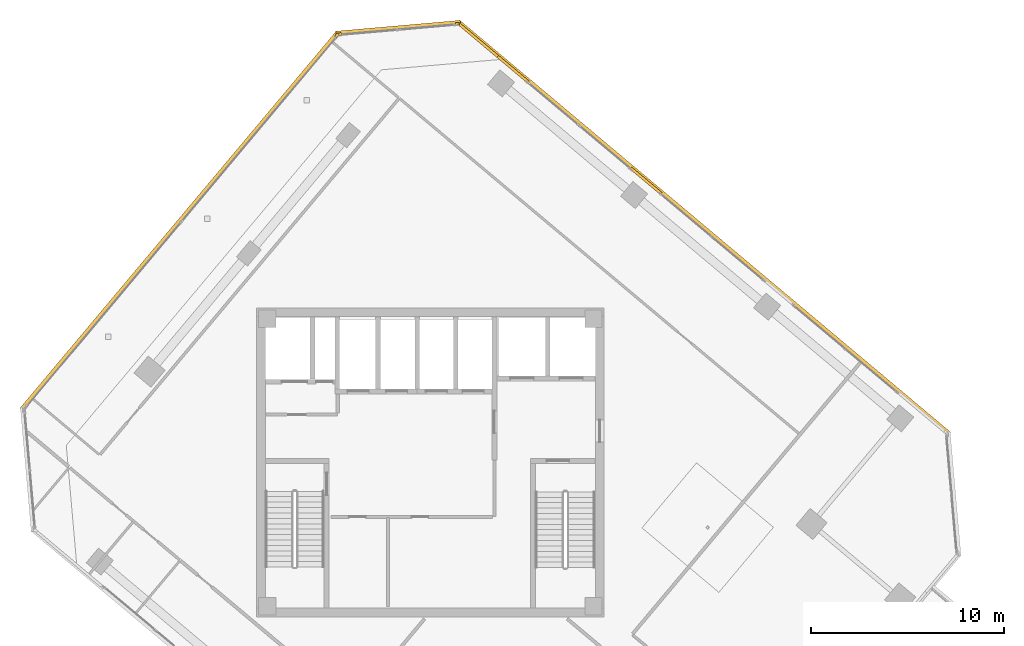
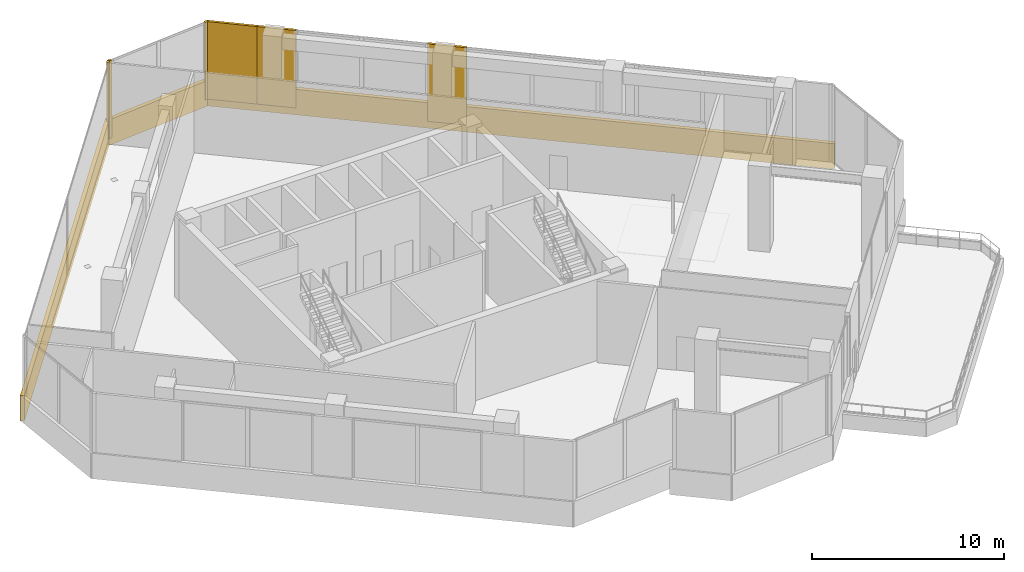
# One storey, part 17 of 17: 9 coverings.
"""IFC4 building model written with IfcOpenShell, lengths in metres."""

from ifc_helpers import new_model, si_unit, direction, frame, origin, origin_2d, place, context, subcontext, project, spatial, rectangle, extrude, source, transform, mapped, material, layer, layer_set, type_object, element, save


model = new_model("IFC4")

# Units and contexts
model_context = context("Model", 3, precision=1e-05, world=origin(), true_north=direction((0.0, 1.0)))
body_context = subcontext(model_context, "Body", "Model", "MODEL_VIEW")
ifc_project = project(units=[si_unit("LENGTHUNIT", "METRE"), si_unit("AREAUNIT", "SQUARE_METRE"), si_unit("VOLUMEUNIT", "CUBIC_METRE"), si_unit("PLANEANGLEUNIT", "RADIAN"), si_unit("MASSUNIT", "GRAM", prefix="KILO")], contexts=[model_context])

# Site, building, storey
site_placement = place(None, origin())
site = spatial("IfcSite", under=ifc_project, at=site_placement, CompositionType="ELEMENT")
building_placement = place(site_placement, origin())
building = spatial("IfcBuilding", under=site, at=building_placement, Name="Torre Montelarca", CompositionType="ELEMENT")
storey_placement = place(building_placement, frame((0.0, 0.0, 215.199951171875)))
storey = spatial("IfcBuildingStorey", under=building, at=storey_placement, Name="L48", CompositionType="ELEMENT", Elevation=215.199951171875)

# Coverings
ifc_material = material(Name="Bush-hammered warm white precast concrete C45/55", Category="concrete")
ifc_layer = layer(ifc_material, 0.139892578125, Name="Bush-hammered warm white precast concrete C45/55", Category="concrete")
ifc_layer_set = layer_set([ifc_layer], Name="Bush-hammered warm white precast concrete C45/55")
covering_type = type_object("IfcCoveringType", Name="COV-TRAY-CLAD", PredefinedType="CLADDING", material=ifc_layer_set)
shared_shape_1 = source(origin(), body_context, "Body", "SweptSolid", [
    extrude(rectangle(XDim=6.48388671875, YDim=0.219970703125, at=origin_2d()), origin(), (0.0, 0.0, 1.0), 1.6201171875),
])
covering_1_placement = place(storey_placement, frame((16.3359375, 54.515869140625, -0.449951171875), z_axis=(0.0, 0.0, 1.0), x_axis=(-0.996194089606, -0.087162697497, 0.0)))
element("IfcCovering", 1, at=covering_1_placement, inside=storey, type_object=covering_type, Name="L48 Architectural White Spandrel Tray Band TRYBOT-09", PredefinedType="CLADDING", context=body_context, shape_type="MappedRepresentation", body=[
    mapped(shared_shape_1, transform((0.0, 0.0, 0.0), scale=1.0)),
])
shared_shape_2 = source(origin(), body_context, "Body", "SweptSolid", [
    extrude(rectangle(XDim=25.52001953125, YDim=0.219970703125, at=origin_2d()), origin(), (0.0, 0.0, 1.0), 1.6201171875),
])
covering_2_placement = place(storey_placement, frame((5.023193359375, 44.5205078125, -0.449951171875), z_axis=(0.0, 0.0, 1.0), x_axis=(-0.642787609687, -0.766044443119, 0.0)))
element("IfcCovering", 2, at=covering_2_placement, inside=storey, type_object=covering_type, Name="L48 Architectural White Spandrel Tray Band TRYBOT-10", PredefinedType="CLADDING", context=body_context, shape_type="MappedRepresentation", body=[
    mapped(shared_shape_2, transform((0.0, 0.0, 0.0), scale=1.0)),
])
shared_shape_3 = source(origin(), body_context, "Body", "SweptSolid", [
    extrude(rectangle(XDim=0.199951171875, YDim=0.139892578125, at=origin_2d()), origin(), (0.0, 0.0, 1.0), 4.919921875),
])
for number, where, z_axis, x_axis, name in (
    (3, (19.3955078125, 54.723388671875, 0.0), (0.0, 0.0, 1.0), (-0.996192872488, -0.087176606982, 0.0), "L48 Architectural Column Pier Cladding E09-1"),
    (4, (13.286865234375, 54.188720703125, 0.0), (0.0, 0.0, 1.0), (-0.996192872488, -0.087176606982, 0.0), "L48 Architectural Column Pier Cladding E09-2"),
    (5, (13.157958984375, 54.121826171875, 0.0), (0.0, 0.0, 1.0), (-0.642788946685, -0.766043321242, 0.0), "L48 Architectural Column Pier Cladding E10-1"),
):
    element("IfcCovering", number, at=place(storey_placement, frame(where, z_axis=z_axis, x_axis=x_axis)), inside=storey, type_object=covering_type, Name=name, PredefinedType="CLADDING", context=body_context, shape_type="MappedRepresentation", body=[
        mapped(shared_shape_3, transform((0.0, 0.0, 0.0), scale=1.0)),
    ])
shared_shape_4 = source(origin(), body_context, "Body", "SweptSolid", [
    extrude(rectangle(XDim=2.06005859375, YDim=0.139892578125, at=origin_2d()), origin(), (0.0, 0.0, 1.0), 4.919921875),
])
for number, where, z_axis, x_axis, name in (
    (6, (29.17431640625, 46.5908203125, 0.0), (0.0, 0.0, 1.0), (-0.766043321242, 0.642788946685, 0.0), "L48 Architectural Column Pier Cladding E08-4"),
    (7, (22.27978515625, 52.375732421875, 0.0), (0.0, 0.0, 1.0), (-0.766043321242, 0.642788946685, 0.0), "L48 Architectural Column Pier Cladding E08-5"),
):
    element("IfcCovering", number, at=place(storey_placement, frame(where, z_axis=z_axis, x_axis=x_axis)), inside=storey, type_object=covering_type, Name=name, PredefinedType="CLADDING", context=body_context, shape_type="MappedRepresentation", body=[
        mapped(shared_shape_4, transform((0.0, 0.0, 0.0), scale=1.0)),
    ])
shared_shape_5 = source(origin(), body_context, "Body", "SweptSolid", [
    extrude(rectangle(XDim=2.754150390625, YDim=0.139892578125, at=origin_2d()), origin(), (0.0, 0.0, 1.0), 4.919921875),
])
covering_3_placement = place(storey_placement, frame((20.512451171875, 53.85888671875, 0.0), z_axis=(0.0, 0.0, 1.0), x_axis=(-0.766043321242, 0.642788946685, 0.0)))
element("IfcCovering", 8, at=covering_3_placement, inside=storey, type_object=covering_type, Name="L48 Architectural Column Pier Cladding E08-6", PredefinedType="CLADDING", context=body_context, shape_type="MappedRepresentation", body=[
    mapped(shared_shape_5, transform((0.0, 0.0, 0.0), scale=1.0)),
])
shared_shape_6 = source(origin(), body_context, "Body", "SweptSolid", [
    extrude(rectangle(XDim=33.219970703125, YDim=0.219970703125, at=origin_2d()), origin(), (0.0, 0.0, 1.0), 1.6201171875),
])
covering_4_placement = place(storey_placement, frame((32.162109375, 44.162109375, -0.449951171875), z_axis=(0.0, 0.0, 1.0), x_axis=(-0.766044443119, 0.642787609687, 0.0)))
element("IfcCovering", 9, at=covering_4_placement, inside=storey, type_object=covering_type, Name="L48 Architectural White Spandrel Tray Band TRYBOT-08", PredefinedType="CLADDING", context=body_context, shape_type="MappedRepresentation", body=[
    mapped(shared_shape_6, transform((0.0, 0.0, 0.0), scale=1.0)),
])

save(model, "model.ifc")
